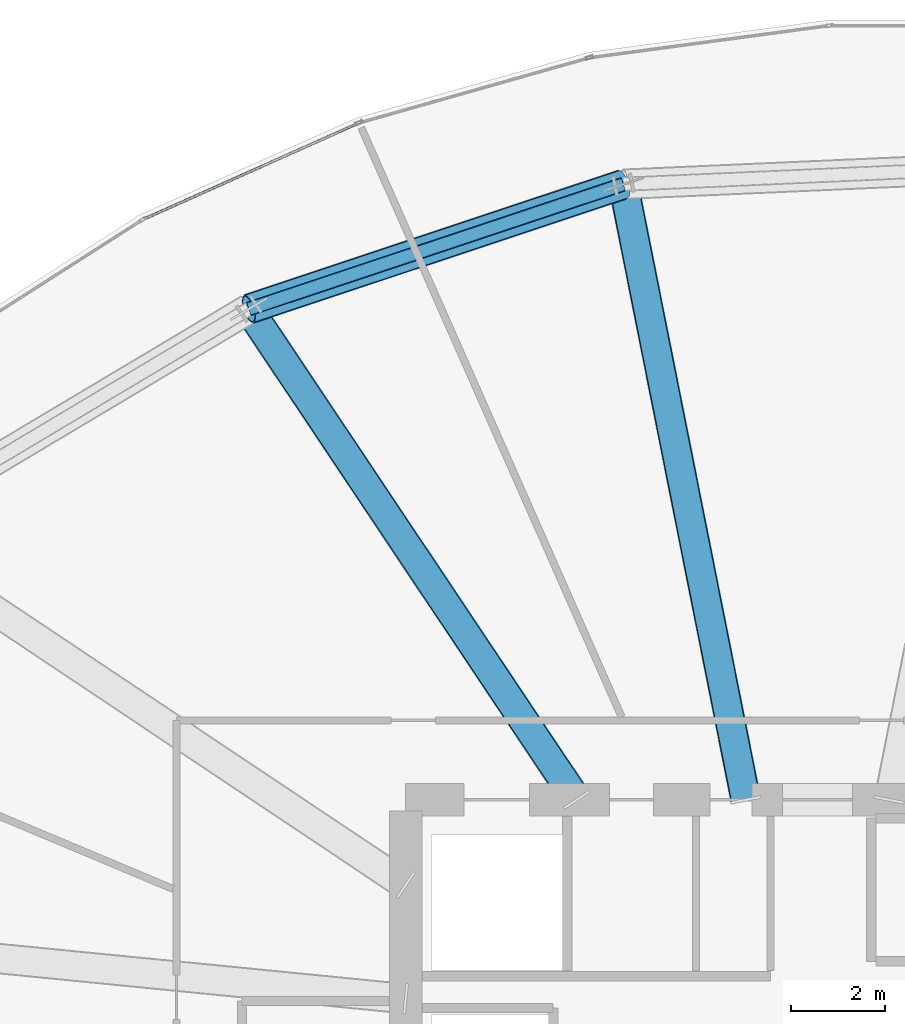
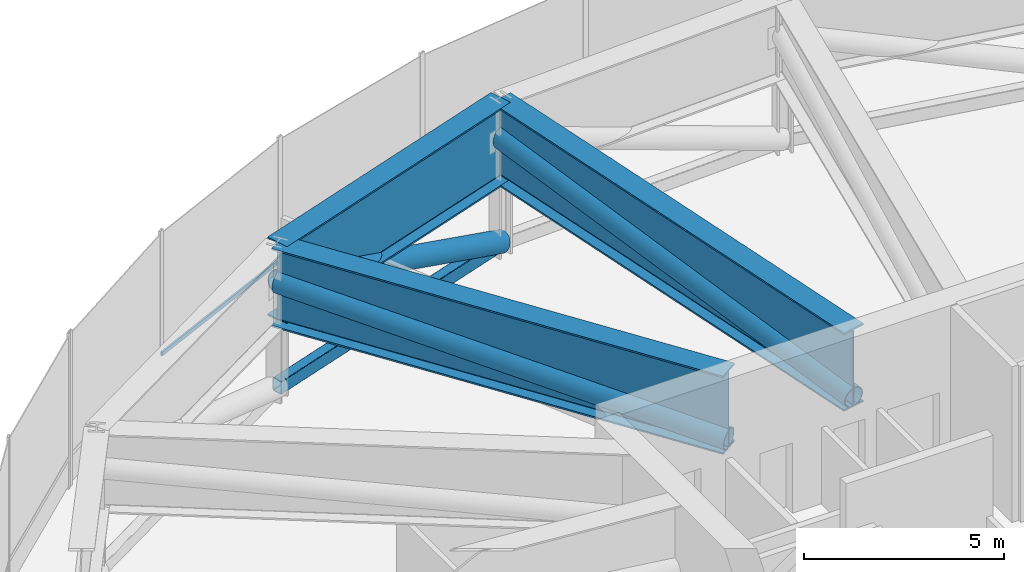
# One storey, part 19 of 33: 5 members, 3 beams, 1 element without a shape of its own.
"""IFC4 building model written with IfcOpenShell, lengths in metres."""

from ifc_helpers import new_model, si_unit, direction, frame, origin, origin_2d, place, context, subcontext, project, spatial, hollow_rectangle, hollow_circle, i_section, extrude, source, transform, mapped, material, layer, layer_set, material_profile, profile_set, type_object, element, aggregate, save


model = new_model("IFC4")

# Units and contexts
model_context = context("Model", 3, precision=1e-05, world=origin(), true_north=direction((0.0, 1.0)))
body_context = subcontext(model_context, "Body", "Model", "MODEL_VIEW")
ifc_project = project(units=[si_unit("LENGTHUNIT", "METRE"), si_unit("AREAUNIT", "SQUARE_METRE"), si_unit("VOLUMEUNIT", "CUBIC_METRE"), si_unit("PLANEANGLEUNIT", "RADIAN"), si_unit("MASSUNIT", "GRAM", prefix="KILO"), si_unit("THERMODYNAMICTEMPERATUREUNIT", "KELVIN")], contexts=[model_context])

# Site, building, storey
site_placement = place(None, origin())
site = spatial("IfcSite", under=ifc_project, at=site_placement, CompositionType="ELEMENT")
building_placement = place(site_placement, origin())
building = spatial("IfcBuilding", under=site, at=building_placement, Name="Kethvar Cultural Tower", CompositionType="ELEMENT")
storey_placement = place(building_placement, frame((0.0, 0.0, 80.39990234375)))
storey = spatial("IfcBuildingStorey", under=building, at=storey_placement, Name="L19", CompositionType="ELEMENT", Elevation=80.39990234375)

# Beam
ifc_material_1 = material(Name="Steel S460M", Category="steel")
ifc_material_profile_1 = material_profile(ifc_material_1, i_section(OverallWidth=0.64990234375, OverallDepth=2.39990234375, WebThickness=0.030029296875, FlangeThickness=0.048095703125, FilletRadius=0.02197265625, at=origin_2d()), Name="Steel S460M — PG2400x650x48x30")
ifc_profile_set_1 = profile_set([ifc_material_profile_1], Name="Steel S460M — PG2400x650x48x30")
beam_type = type_object("IfcBeamType", Name="BM-TR2400", PredefinedType="BEAM", material=ifc_profile_set_1)
shared_shape_1 = source(origin(), body_context, "Body", "SweptSolid", [
    extrude(i_section(OverallWidth=0.64990234375, OverallDepth=2.39990234375, WebThickness=0.030029296875, FlangeThickness=0.048095703125, FilletRadius=0.02197265625, at=origin_2d()), origin(), (0.0, 0.0, 1.0), 13.41357421875),
])
beam_1_placement = place(storey_placement, frame((45.268310546875, 35.5, 3.55810546875), z_axis=(-0.195079960025, 0.980787341474, 0.0), x_axis=(-0.980787341474, -0.195079960025, 0.0)))
element("IfcBeam", 1, at=beam_1_placement, inside=storey, type_object=beam_type, Name="L19 Outrigger Transfer Girder OG-05", PredefinedType="BEAM", context=body_context, shape_type="MappedRepresentation", body=[
    mapped(shared_shape_1, transform((0.0, 0.0, 0.0), scale=1.0)),
])

# Member
ifc_material_profile_2 = material_profile(ifc_material_1, hollow_circle(Radius=0.304931640625, WallThickness=0.02490234375, at=origin_2d()), Name="Steel S460M — CHS610x25")
ifc_profile_set_2 = profile_set([ifc_material_profile_2], Name="Steel S460M — CHS610x25")
member_type_1 = type_object("IfcMemberType", Name="MB-OUT-610", PredefinedType="BRACE", material=ifc_profile_set_2)
shared_shape_2 = source(origin(), body_context, "Body", "SweptSolid", [
    extrude(hollow_circle(Radius=0.304931640625, WallThickness=0.02490234375, at=origin_2d()), origin(), (0.0, 0.0, 1.0), 13.444091796875),
])
member_1_placement = place(storey_placement, frame((45.268310546875, 35.5, 2.650146484375), z_axis=(-0.194634566891, 0.978548075338, 0.06753554341), x_axis=(-0.980787341474, -0.195079960025, 0.0)))
element("IfcMember", 2, at=member_1_placement, inside=storey, type_object=member_type_1, Name="L19 Outrigger Truss Diagonal OB-05", PredefinedType="BRACE", context=body_context, shape_type="MappedRepresentation", body=[
    mapped(shared_shape_2, transform((0.0, 0.0, 0.0), scale=1.0)),
])

# Beam
shared_shape_3 = source(origin(), body_context, "Body", "SweptSolid", [
    extrude(i_section(OverallWidth=0.64990234375, OverallDepth=2.39990234375, WebThickness=0.030029296875, FlangeThickness=0.048095703125, FilletRadius=0.02197265625, at=origin_2d()), origin(), (0.0, 0.0, 1.0), 8.437744140625),
])
beam_2_placement = place(storey_placement, frame((42.651611328125, 48.65576171875, 3.55810546875), z_axis=(-0.948772955115, -0.315958667618, 0.0), x_axis=(0.315958667618, -0.948772955115, 0.0)))
element("IfcBeam", 3, at=beam_2_placement, inside=storey, type_object=beam_type, Name="L19 Ring Belt Girder BG-05", PredefinedType="BEAM", context=body_context, shape_type="MappedRepresentation", body=[
    mapped(shared_shape_3, transform((0.0, 0.0, 0.0), scale=1.0)),
])

# Members
ifc_material_profile_3 = material_profile(ifc_material_1, hollow_rectangle(XDim=0.300048828125, YDim=0.39990234375, WallThickness=0.01611328125, InnerFilletRadius=0.01611328125, OuterFilletRadius=0.031982421875, at=origin_2d()), Name="Steel S460M — RHS400x300x16")
ifc_profile_set_3 = profile_set([ifc_material_profile_3], Name="Steel S460M — RHS400x300x16")
member_type_2 = type_object("IfcMemberType", Name="MB-CHD-400", PredefinedType="CHORD", material=ifc_profile_set_3)
shared_shape_4 = source(origin(), body_context, "Body", "SweptSolid", [
    extrude(hollow_rectangle(XDim=0.300048828125, YDim=0.39990234375, WallThickness=0.01611328125, InnerFilletRadius=0.01611328125, OuterFilletRadius=0.031982421875, at=origin_2d()), origin(), (0.0, 0.0, 1.0), 8.437744140625),
])
member_2_placement = place(storey_placement, frame((42.651611328125, 48.65576171875, 0.35009765625), z_axis=(-0.948772955115, -0.315958667618, 0.0), x_axis=(0.315958667618, -0.948772955115, 0.0)))
element("IfcMember", 4, at=member_2_placement, inside=storey, type_object=member_type_2, Name="L19 Ring Belt Bottom Chord BC-05", PredefinedType="CHORD", context=body_context, shape_type="MappedRepresentation", body=[
    mapped(shared_shape_4, transform((0.0, 0.0, 0.0), scale=1.0)),
])
shared_shape_5 = source(origin(), body_context, "Body", "SweptSolid", [
    extrude(hollow_circle(Radius=0.304931640625, WallThickness=0.02490234375, at=origin_2d()), origin(), (0.0, 0.0, 1.0), 9.027099609375),
])
member_3_placement = place(storey_placement, frame((42.651611328125, 48.65576171875, 0.35009765625), z_axis=(-0.886840821265, -0.295334139496, 0.355374596427), x_axis=(0.315958667618, -0.948772955115, 0.0)))
element("IfcMember", 5, at=member_3_placement, inside=storey, type_object=member_type_1, Name="L19 Ring Belt Diagonal BD-05", PredefinedType="BRACE", context=body_context, shape_type="MappedRepresentation", body=[
    mapped(shared_shape_5, transform((0.0, 0.0, 0.0), scale=1.0)),
])

# Beam
shared_shape_6 = source(origin(), body_context, "Body", "SweptSolid", [
    extrude(i_section(OverallWidth=0.64990234375, OverallDepth=2.39990234375, WebThickness=0.030029296875, FlangeThickness=0.048095703125, FilletRadius=0.02197265625, at=origin_2d()), origin(), (0.0, 0.0, 1.0), 12.615966796875),
])
beam_3_placement = place(storey_placement, frame((41.655029296875, 35.5, 3.55810546875), z_axis=(-0.555570723257, 0.831469284736, 0.0), x_axis=(-0.831469284736, -0.555570723257, 0.0)))
element("IfcBeam", 6, at=beam_3_placement, inside=storey, type_object=beam_type, Name="L19 Outrigger Transfer Girder OG-06", PredefinedType="BEAM", context=body_context, shape_type="MappedRepresentation", body=[
    mapped(shared_shape_6, transform((0.0, 0.0, 0.0), scale=1.0)),
])

# Member
shared_shape_7 = source(origin(), body_context, "Body", "SweptSolid", [
    extrude(hollow_circle(Radius=0.304931640625, WallThickness=0.02490234375, at=origin_2d()), origin(), (0.0, 0.0, 1.0), 12.6484375),
])
member_4_placement = place(storey_placement, frame((41.655029296875, 35.5, 2.650146484375), z_axis=(-0.554137475803, 0.829324281074, 0.071783666185), x_axis=(-0.831469284736, -0.555570723257, 0.0)))
element("IfcMember", 7, at=member_4_placement, inside=storey, type_object=member_type_1, Name="L19 Outrigger Truss Diagonal OB-06", PredefinedType="BRACE", context=body_context, shape_type="MappedRepresentation", body=[
    mapped(shared_shape_7, transform((0.0, 0.0, 0.0), scale=1.0)),
])

# Curtain wall, member
ifc_material_2 = material(Name="Aluminium 6063-T6", Category="aluminium")
ifc_layer = layer(ifc_material_2, 0.179931640625, Name="Aluminium 6063-T6", Category="aluminium")
ifc_layer_set = layer_set([ifc_layer], Name="Aluminium 6063-T6 (180 mm)")
curtain_wall_type = type_object("IfcCurtainWallType", Name="CW-SYS-02-Z1", PredefinedType="NOTDEFINED", material=ifc_layer_set)
curtain_wall_placement = place(storey_placement, origin())
curtain_wall = element("IfcCurtainWall", 8, at=curtain_wall_placement, inside=storey, type_object=curtain_wall_type, Name="L19 Curtain Wall Run 02", PredefinedType="NOTDEFINED")
ifc_material_profile_4 = material_profile(ifc_material_2, hollow_rectangle(XDim=0.054931640625, YDim=0.1201171875, WallThickness=0.00390625, at=origin_2d()), Name="Aluminium 6063-T6 — RHS120x55x4")
ifc_profile_set_4 = profile_set([ifc_material_profile_4], Name="Aluminium 6063-T6 — RHS120x55x4")
member_type_3 = type_object("IfcMemberType", Name="CW-SYS-02-Z1-TRN", PredefinedType="USERDEFINED", material=ifc_profile_set_4)
shared_shape_8 = source(origin(), body_context, "Body", "SweptSolid", [
    extrude(hollow_rectangle(XDim=0.054931640625, YDim=0.1201171875, WallThickness=0.00390625, at=origin_2d()), origin(), (0.0, 0.0, 1.0), 4.99072265625),
])
member_5_placement = place(storey_placement, frame((36.962646484375, 49.948974609375, 0.9501953125), z_axis=(-0.912923793545, -0.408130061598, 0.0), x_axis=(0.408130061598, -0.912923793545, 0.0)))
member_5 = element("IfcMember", 9, at=member_5_placement, type_object=member_type_3, Name="CW-L19-R02 Transom 5", ObjectType="TRANSOM", PredefinedType="USERDEFINED", context=body_context, shape_type="MappedRepresentation", body=[
    mapped(shared_shape_8, transform((0.0, 0.0, 0.0), scale=1.0)),
])
aggregate(curtain_wall, [member_5])

save(model, "model.ifc")
